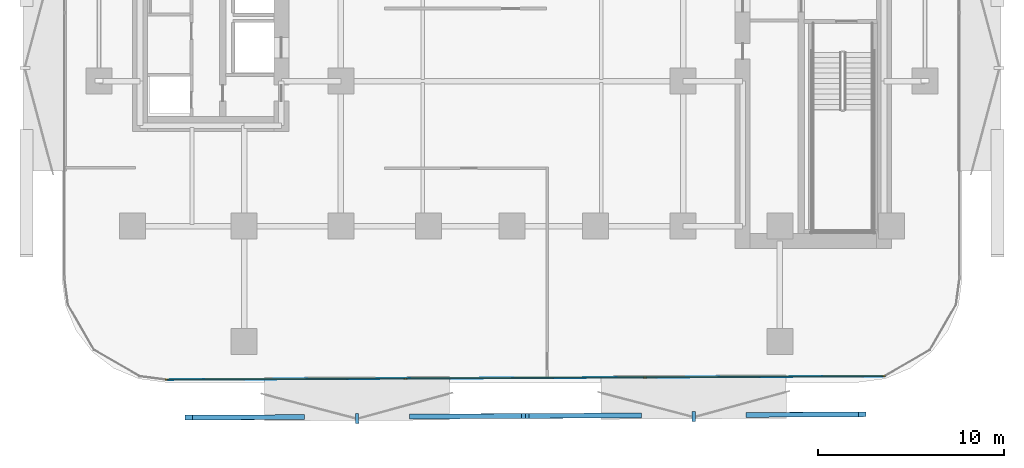
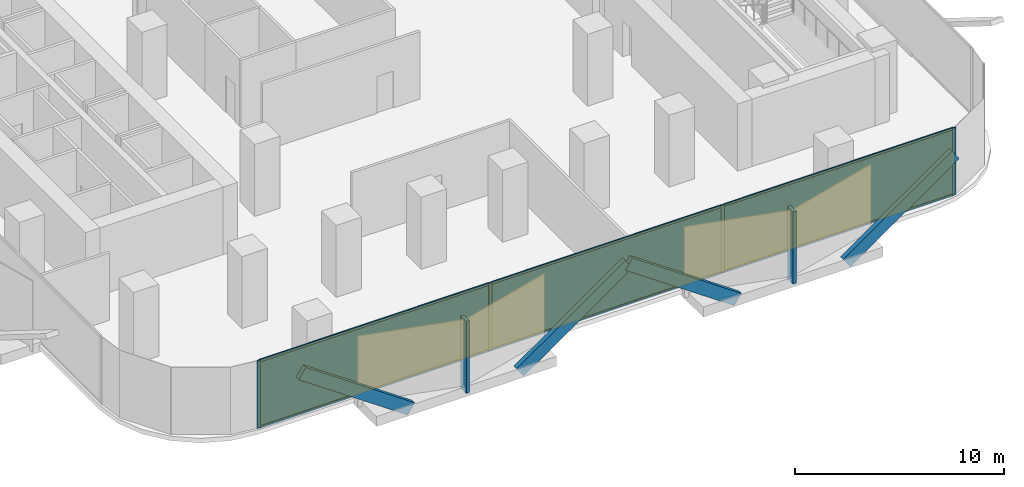
# One storey, part 7 of 15: 16 members, 3 plates, 1 curtain wall.
"""IFC4 building model written with IfcOpenShell, lengths in metres."""

from ifc_helpers import new_model, si_unit, direction, frame, frame_2d, origin, origin_2d, place, context, subcontext, project, spatial, rectangle, extrude, material, layer, layer_set, material_profile, profile_set, type_object, element, aggregate, save


model = new_model("IFC4")

# Units and contexts
model_context = context("Model", 3, precision=1e-05, world=origin(), true_north=direction((0.0, 1.0)))
body_context = subcontext(model_context, "Body", "Model", "MODEL_VIEW")
ifc_project = project(units=[si_unit("LENGTHUNIT", "METRE"), si_unit("AREAUNIT", "SQUARE_METRE"), si_unit("VOLUMEUNIT", "CUBIC_METRE"), si_unit("PLANEANGLEUNIT", "RADIAN"), si_unit("MASSUNIT", "GRAM", prefix="KILO")], contexts=[model_context])

# Member
ifc_material_1 = material(Name="Anodised Bronze Aluminium 6063-T6", Category="aluminium")
ifc_material_profile_1 = material_profile(ifc_material_1, rectangle(XDim=0.260009765625, YDim=0.699951171875, at=origin_2d()))
ifc_profile_set_1 = profile_set([ifc_material_profile_1], Name="Anodised Bronze Aluminium 6063-T6")
member_type_1 = type_object("IfcMemberType", Name="Bronze Diamond Solar-Screen Lattice Rib BDL-700", PredefinedType="MULLION", material=ifc_profile_set_1)
site_placement = place(None, origin())
building_placement = place(site_placement, origin())
storey_placement = place(building_placement, frame((0.0, 0.0, 72.199951171875)))
member_1_placement = place(storey_placement, frame((6.7548828125, -28.777099609375, -0.1298828125), z_axis=(-0.820743653079, -0.003984998518, 0.57128274586), x_axis=(-0.00764700594, 0.999962717129, -0.004010941449)))
member_1 = element("IfcMember", 1, at=member_1_placement, type_object=member_type_1, Name="L17 Bronze Diamond Solar Screen Lattice Rib 89A", PredefinedType="MULLION", context=body_context, shape_type="SweptSolid", body=[
    extrude(rectangle(XDim=0.260009765625, YDim=0.699951171875, at=origin_2d()), origin(), (0.0, 0.0, 1.0), 7.351806640625),
])

member_2_placement = place(storey_placement, frame((12.788818359375, -28.747802734375, -0.1298828125), z_axis=(0.820743653079, 0.003984998518, 0.57128274586), x_axis=(0.00764700594, -0.999962717129, -0.004010941449)))
member_2 = element("IfcMember", 2, at=member_2_placement, type_object=member_type_1, Name="L17 Bronze Diamond Solar Screen Lattice Rib 89B", PredefinedType="MULLION", context=body_context, shape_type="SweptSolid", body=[
    extrude(rectangle(XDim=0.260009765625, YDim=0.699951171875, at=origin_2d()), origin(), (0.0, 0.0, 1.0), 7.351806640625),
])

member_3_placement = place(storey_placement, frame((-11.346923828125, -28.864990234375, -0.1298828125), z_axis=(-0.820743653079, -0.003984998518, 0.57128274586), x_axis=(-0.00764700594, 0.999962717129, -0.004010941449)))
member_3 = element("IfcMember", 3, at=member_3_placement, type_object=member_type_1, Name="L17 Bronze Diamond Solar Screen Lattice Rib 90A", PredefinedType="MULLION", context=body_context, shape_type="SweptSolid", body=[
    extrude(rectangle(XDim=0.260009765625, YDim=0.699951171875, at=origin_2d()), origin(), (0.0, 0.0, 1.0), 7.351806640625),
])

member_4_placement = place(storey_placement, frame((-5.31298828125, -28.835693359375, -0.1298828125), z_axis=(0.820743653079, 0.003984998518, 0.57128274586), x_axis=(0.00764700594, -0.999962717129, -0.004010941449)))
member_4 = element("IfcMember", 4, at=member_4_placement, type_object=member_type_1, Name="L17 Bronze Diamond Solar Screen Lattice Rib 90B", PredefinedType="MULLION", context=body_context, shape_type="SweptSolid", body=[
    extrude(rectangle(XDim=0.260009765625, YDim=0.699951171875, at=origin_2d()), origin(), (0.0, 0.0, 1.0), 7.351806640625),
])

ifc_material_2 = material(Name="Anodised Bronze Aluminium 6063-T6", Category="aluminium")
ifc_material_profile_2 = material_profile(ifc_material_2, rectangle(XDim=0.179931640625, YDim=0.5400390625, at=origin_2d()))
ifc_profile_set_2 = profile_set([ifc_material_profile_2], Name="Anodised Bronze Aluminium 6063-T6")
member_type_2 = type_object("IfcMemberType", Name="Bronze Solar-Screen Vertical Fold Fin BSF-540", PredefinedType="MULLION", material=ifc_profile_set_2)
member_5_placement = place(storey_placement, frame((9.772216796875, -28.842529296875, -0.1298828125), z_axis=(0.0, 0.0, 1.0), x_axis=(-0.999988059021, -0.004886902454, 0.0)))
member_5 = element("IfcMember", 5, at=member_5_placement, type_object=member_type_2, Name="L17 Bronze Solar Screen Vertical Fin 89", PredefinedType="MULLION", context=body_context, shape_type="SweptSolid", body=[
    extrude(rectangle(XDim=0.179931640625, YDim=0.5400390625, at=origin_2d()), origin(), (0.0, 0.0, 1.0), 4.199951171875),
])

member_6_placement = place(storey_placement, frame((-8.32958984375, -28.930419921875, -0.1298828125), z_axis=(0.0, 0.0, 1.0), x_axis=(-0.999988059021, -0.004886902454, 0.0)))
member_6 = element("IfcMember", 6, at=member_6_placement, type_object=member_type_2, Name="L17 Bronze Solar Screen Vertical Fin 90", PredefinedType="MULLION", context=body_context, shape_type="SweptSolid", body=[
    extrude(rectangle(XDim=0.179931640625, YDim=0.5400390625, at=origin_2d()), origin(), (0.0, 0.0, 1.0), 4.199951171875),
])

ifc_material_3 = material(Name="Anodised Bronze Aluminium 6063-T6", Category="aluminium")
ifc_material_profile_3 = material_profile(ifc_material_3, rectangle(XDim=0.06494140625, YDim=0.179931640625, at=origin_2d()))
ifc_profile_set_3 = profile_set([ifc_material_profile_3], Name="Anodised Bronze Aluminium 6063-T6")
member_type_3 = type_object("IfcMemberType", Name="CW-Z1 Mullion 65x180", PredefinedType="MULLION", material=ifc_profile_set_3)
member_7_placement = place(storey_placement, frame((19.98046875, -26.6728515625, 0.0), z_axis=(0.0, 0.0, 1.0), x_axis=(0.004849219095, -0.999988242468, 0.0)))
member_7 = element("IfcMember", 7, at=member_7_placement, type_object=member_type_3, Name="CW-Z1 mullion 1", PredefinedType="MULLION", context=body_context, shape_type="SweptSolid", body=[
    extrude(rectangle(XDim=0.06494140625, YDim=0.179931640625, at=origin_2d()), origin(), (0.0, 0.0, 1.0), 3.93994140625),
])

member_8_placement = place(storey_placement, frame((7.14501953125, -26.735107421875, 0.0), z_axis=(0.0, 0.0, 1.0), x_axis=(0.004849219095, -0.999988242468, 0.0)))
member_8 = element("IfcMember", 8, at=member_8_placement, type_object=member_type_3, Name="CW-Z1 mullion 2", PredefinedType="MULLION", context=body_context, shape_type="SweptSolid", body=[
    extrude(rectangle(XDim=0.06494140625, YDim=0.179931640625, at=origin_2d()), origin(), (0.0, 0.0, 1.0), 3.93994140625),
])

member_9_placement = place(storey_placement, frame((-5.722900390625, -26.797607421875, 0.0), z_axis=(0.0, 0.0, 1.0), x_axis=(0.004849219095, -0.999988242468, 0.0)))
member_9 = element("IfcMember", 9, at=member_9_placement, type_object=member_type_3, Name="CW-Z1 mullion 3", PredefinedType="MULLION", context=body_context, shape_type="SweptSolid", body=[
    extrude(rectangle(XDim=0.06494140625, YDim=0.179931640625, at=origin_2d()), origin(), (0.0, 0.0, 1.0), 3.93994140625),
])

member_10_placement = place(storey_placement, frame((-18.558349609375, -26.85986328125, 0.0), z_axis=(0.0, 0.0, 1.0), x_axis=(0.004849219095, -0.999988242468, 0.0)))
member_10 = element("IfcMember", 10, at=member_10_placement, type_object=member_type_3, Name="CW-Z1 mullion 4", PredefinedType="MULLION", context=body_context, shape_type="SweptSolid", body=[
    extrude(rectangle(XDim=0.06494140625, YDim=0.179931640625, at=origin_2d()), origin(), (0.0, 0.0, 1.0), 3.93994140625),
])

ifc_material_4 = material(Name="Anodised Bronze Aluminium 6063-T6", Category="aluminium")
ifc_material_profile_4 = material_profile(ifc_material_4, rectangle(XDim=0.06494140625, YDim=0.139892578125, at=origin_2d()))
ifc_profile_set_4 = profile_set([ifc_material_profile_4], Name="Anodised Bronze Aluminium 6063-T6")
member_type_4 = type_object("IfcMemberType", Name="CW-Z1 Transom 65x140", PredefinedType="USERDEFINED", material=ifc_profile_set_4)
member_11_placement = place(storey_placement, frame((19.947998046875, -26.673095703125, 0.032470703125), z_axis=(-0.99998821055, -0.004855796541, 0.0), x_axis=(0.004855796541, -0.99998821055, 0.0)))
member_11 = element("IfcMember", 11, at=member_11_placement, type_object=member_type_4, Name="CW-Z1 transom 1.1", ObjectType="TRANSOM", PredefinedType="USERDEFINED", context=body_context, shape_type="SweptSolid", body=[
    extrude(rectangle(XDim=0.06494140625, YDim=0.139892578125, at=origin_2d()), origin(), (0.0, 0.0, 1.0), 12.770751953125),
])

member_12_placement = place(storey_placement, frame((19.947998046875, -26.673095703125, 3.907470703125), z_axis=(-0.99998821055, -0.004855796541, 0.0), x_axis=(0.004855796541, -0.99998821055, 0.0)))
member_12 = element("IfcMember", 12, at=member_12_placement, type_object=member_type_4, Name="CW-Z1 transom 1.2", ObjectType="TRANSOM", PredefinedType="USERDEFINED", context=body_context, shape_type="SweptSolid", body=[
    extrude(rectangle(XDim=0.06494140625, YDim=0.139892578125, at=origin_2d()), origin(), (0.0, 0.0, 1.0), 12.770751953125),
])

member_13_placement = place(storey_placement, frame((7.112548828125, -26.7353515625, 0.032470703125), z_axis=(-0.999988270274, -0.004843481639, 0.0), x_axis=(0.004843481639, -0.999988270274, 0.0)))
member_13 = element("IfcMember", 13, at=member_13_placement, type_object=member_type_4, Name="CW-Z1 transom 2.1", ObjectType="TRANSOM", PredefinedType="USERDEFINED", context=body_context, shape_type="SweptSolid", body=[
    extrude(rectangle(XDim=0.06494140625, YDim=0.139892578125, at=origin_2d()), origin(), (0.0, 0.0, 1.0), 12.80322265625),
])

member_14_placement = place(storey_placement, frame((7.112548828125, -26.7353515625, 3.907470703125), z_axis=(-0.999988270274, -0.004843481639, 0.0), x_axis=(0.004843481639, -0.999988270274, 0.0)))
member_14 = element("IfcMember", 14, at=member_14_placement, type_object=member_type_4, Name="CW-Z1 transom 2.2", ObjectType="TRANSOM", PredefinedType="USERDEFINED", context=body_context, shape_type="SweptSolid", body=[
    extrude(rectangle(XDim=0.06494140625, YDim=0.139892578125, at=origin_2d()), origin(), (0.0, 0.0, 1.0), 12.80322265625),
])

member_15_placement = place(storey_placement, frame((-5.75537109375, -26.7978515625, 0.032470703125), z_axis=(-0.999988303196, -0.00483667968, 0.0), x_axis=(0.00483667968, -0.999988303196, 0.0)))
member_15 = element("IfcMember", 15, at=member_15_placement, type_object=member_type_4, Name="CW-Z1 transom 3.1", ObjectType="TRANSOM", PredefinedType="USERDEFINED", context=body_context, shape_type="SweptSolid", body=[
    extrude(rectangle(XDim=0.06494140625, YDim=0.139892578125, at=origin_2d()), origin(), (0.0, 0.0, 1.0), 12.770751953125),
])

member_16_placement = place(storey_placement, frame((-5.75537109375, -26.7978515625, 3.907470703125), z_axis=(-0.999988303196, -0.00483667968, 0.0), x_axis=(0.00483667968, -0.999988303196, 0.0)))
member_16 = element("IfcMember", 16, at=member_16_placement, type_object=member_type_4, Name="CW-Z1 transom 3.2", ObjectType="TRANSOM", PredefinedType="USERDEFINED", context=body_context, shape_type="SweptSolid", body=[
    extrude(rectangle(XDim=0.06494140625, YDim=0.139892578125, at=origin_2d()), origin(), (0.0, 0.0, 1.0), 12.770751953125),
])

# Plate
ifc_material_5 = material(Name="Low-E Solar Control Laminated Glass", Category="glass")
ifc_layer_1 = layer(ifc_material_5, 0.028076171875, Name="Low-E Solar Control Laminated Glass")
ifc_layer_set_1 = layer_set([ifc_layer_1], Name="Low-E Solar Control Laminated Glass")
plate_type = type_object("IfcPlateType", Name="CW-Z1 Low-E Double Glazed Panel 28mm", PredefinedType="CURTAIN_PANEL", material=ifc_layer_set_1)
plate_1_placement = place(storey_placement, frame((13.562744140625, -26.7041015625, 0.06494140625), z_axis=(0.0, 0.0, 1.0), x_axis=(-0.999988242468, -0.004849219095, 0.0)))
plate_1 = element("IfcPlate", 17, at=plate_1_placement, type_object=plate_type, Name="CW-Z1 panel 1.1", PredefinedType="CURTAIN_PANEL", context=body_context, shape_type="SweptSolid", body=[
    extrude(rectangle(XDim=12.7705078125, YDim=0.028076171875, at=origin_2d()), origin(), (0.0, 0.0, 1.0), 3.81005859375),
])

plate_2_placement = place(storey_placement, frame((0.7109375, -26.766357421875, 0.06494140625), z_axis=(0.0, 0.0, 1.0), x_axis=(-0.999988242468, -0.004849219095, 0.0)))
plate_2 = element("IfcPlate", 18, at=plate_2_placement, type_object=plate_type, Name="CW-Z1 panel 2.1", PredefinedType="CURTAIN_PANEL", context=body_context, shape_type="SweptSolid", body=[
    extrude(rectangle(XDim=12.802978515625, YDim=0.028076171875, at=origin_2d()), origin(), (0.0, 0.0, 1.0), 3.81005859375),
])

plate_3_placement = place(storey_placement, frame((-12.140625, -26.82861328125, 0.06494140625), z_axis=(0.0, 0.0, 1.0), x_axis=(-0.999988242468, -0.004849219095, 0.0)))
plate_3 = element("IfcPlate", 19, at=plate_3_placement, type_object=plate_type, Name="CW-Z1 panel 3.1", PredefinedType="CURTAIN_PANEL", context=body_context, shape_type="SweptSolid", body=[
    extrude(rectangle(XDim=12.7705078125, YDim=0.028076171875, at=origin_2d()), origin(), (0.0, 0.0, 1.0), 3.81005859375),
])

# Site, building, storey
site = spatial("IfcSite", under=ifc_project, at=site_placement, CompositionType="ELEMENT")
building = spatial("IfcBuilding", under=site, at=building_placement, Name="Khairoan Windgate Tower", CompositionType="ELEMENT")
storey = spatial("IfcBuildingStorey", under=building, at=storey_placement, Name="L17", CompositionType="ELEMENT", Elevation=72.199951171875)

# Curtain wall
ifc_material_6 = material(Name="Anodised Bronze Aluminium 6063-T6", Category="aluminium")
ifc_layer_2 = layer(ifc_material_6, 0.179931640625, Name="Anodised Bronze Aluminium 6063-T6")
ifc_layer_set_2 = layer_set([ifc_layer_2], Name="Anodised Bronze Aluminium 6063-T6")
curtain_wall_type = type_object("IfcCurtainWallType", Name="Low-Rise Office Unitised Curtain Wall CW-Z1", PredefinedType="NOTDEFINED", material=ifc_layer_set_2)
curtain_wall_placement = place(storey_placement, frame((20.012939453125, -26.6728515625, 0.0), z_axis=(0.0, 0.0, 1.0), x_axis=(-0.999988235487, -0.004850658525, 0.0)))
curtain_wall = element("IfcCurtainWall", 20, at=curtain_wall_placement, inside=storey, type_object=curtain_wall_type, Name="L17 Unitised Curtain Wall 1", PredefinedType="NOTDEFINED", context=body_context, shape_type="SweptSolid", body=[
    extrude(rectangle(XDim=38.604248046875, YDim=0.010009765625, at=frame_2d((19.30224609375, 0.0))), origin(), (0.0, 0.0, 1.0), 3.93994140625),
])

aggregate(curtain_wall, [member_7, member_8, member_9, member_10, member_11, member_12, plate_1, member_13, member_14, plate_2, member_15, member_16, plate_3, member_1, member_2, member_5, member_3, member_4, member_6])

save(model, "model.ifc")
